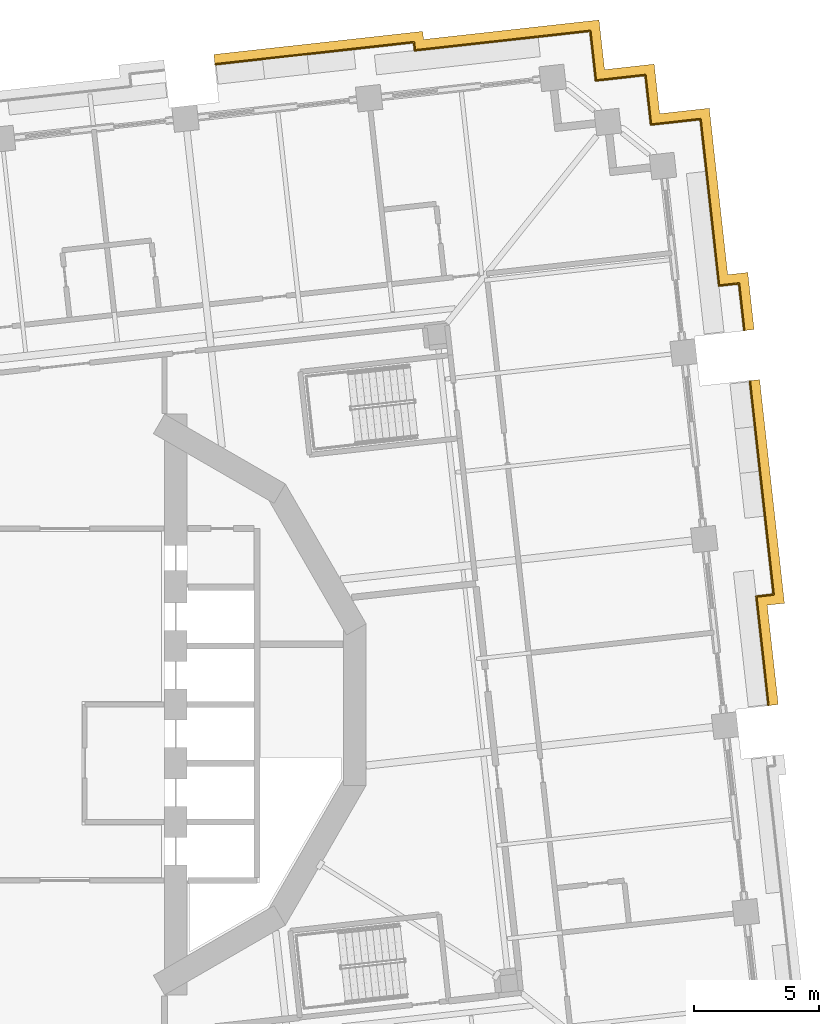
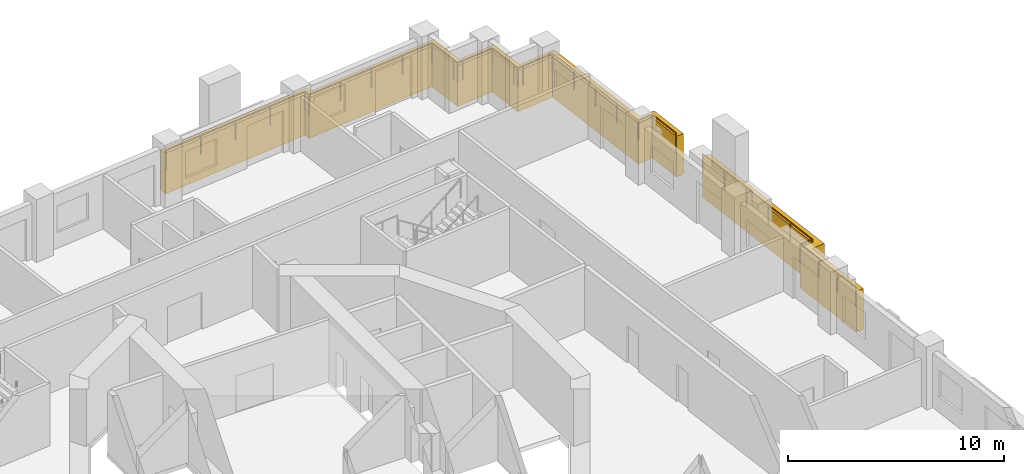
# One storey, part 17 of 18: 3 railings, 2 coverings.
"""IFC4 building model written with IfcOpenShell, lengths in metres."""

from ifc_helpers import new_model, si_unit, direction, frame, origin, origin_2d, place, context, subcontext, project, spatial, polyline, circle, outline, extrude, material, type_object, element, save


model = new_model("IFC4")

# Units and contexts
model_context = context("Model", 3, precision=1e-05, world=origin(), true_north=direction((0.0, 1.0)))
body_context = subcontext(model_context, "Body", "Model", "MODEL_VIEW")
ifc_project = project(units=[si_unit("LENGTHUNIT", "METRE"), si_unit("AREAUNIT", "SQUARE_METRE"), si_unit("VOLUMEUNIT", "CUBIC_METRE"), si_unit("PLANEANGLEUNIT", "RADIAN"), si_unit("MASSUNIT", "GRAM", prefix="KILO")], contexts=[model_context])

# Site, building, storey
site_placement = place(None, origin())
site = spatial("IfcSite", under=ifc_project, at=site_placement, CompositionType="ELEMENT")
building_placement = place(site_placement, origin())
building = spatial("IfcBuilding", under=site, at=building_placement, Name="Cantera Rosa Tower", CompositionType="ELEMENT")
storey_placement = place(building_placement, frame((0.0, 0.0, 76.699951171875)))
storey = spatial("IfcBuildingStorey", under=building, at=storey_placement, Name="L16", CompositionType="ELEMENT", Elevation=76.699951171875)

# Railings
ifc_material_1 = material(Name="Stainless steel and laminated glass", Category="steel")
railing_type = type_object("IfcRailingType", Name="GUARD 1100", PredefinedType="BALUSTRADE", material=ifc_material_1)
railing_1_placement = place(storey_placement, frame((27.44482421875, 12.95654296875, 0.0)))
element("IfcRailing", 1, at=railing_1_placement, inside=storey, type_object=railing_type, Name="GUARD L16-9", PredefinedType="BALUSTRADE", context=body_context, shape_type="SweptSolid", body=[
    extrude(circle(Radius=0.030029296875, at=origin_2d()), frame((0.0, 0.0, 1.070068359375), z_axis=(0.110306840876, -0.993897580667, 0.0), x_axis=(0.993897580667, 0.110306840876, 0.0)), (0.0, 0.0, 1.0), 8.596435546875),
    extrude(circle(Radius=0.030029296875, at=origin_2d()), frame((0.9482421875, -8.5439453125, 1.070068359375), z_axis=(-0.993866597574, -0.11058565109, 0.0), x_axis=(0.11058565109, -0.993866597574, 0.0)), (0.0, 0.0, 1.0), 0.6953125),
    extrude(circle(Radius=0.030029296875, at=origin_2d()), frame((0.257080078125, -8.620849609375, 1.070068359375), z_axis=(0.110333717982, -0.993894597368, 0.0), x_axis=(0.993894597368, 0.110333717982, 0.0)), (0.0, 0.0, 1.0), 4.383544921875),
    extrude(circle(Radius=0.02490234375, at=origin_2d()), origin(), (0.0, 0.0, 1.0), 1.0400390625),
    extrude(circle(Radius=0.02490234375, at=origin_2d()), frame((0.189697265625, -1.708740234375, 0.0)), (0.0, 0.0, 1.0), 1.0400390625),
    extrude(circle(Radius=0.02490234375, at=origin_2d()), frame((0.37939453125, -3.41748046875, 0.0)), (0.0, 0.0, 1.0), 1.0400390625),
    extrude(circle(Radius=0.02490234375, at=origin_2d()), frame((0.56884765625, -5.12646484375, 0.0)), (0.0, 0.0, 1.0), 1.0400390625),
    extrude(circle(Radius=0.02490234375, at=origin_2d()), frame((0.758544921875, -6.835205078125, 0.0)), (0.0, 0.0, 1.0), 1.0400390625),
    extrude(circle(Radius=0.02490234375, at=origin_2d()), frame((0.9482421875, -8.5439453125, 0.0)), (0.0, 0.0, 1.0), 1.0400390625),
    extrude(circle(Radius=0.02490234375, at=origin_2d()), frame((0.257080078125, -8.620849609375, 0.0)), (0.0, 0.0, 1.0), 1.0400390625),
    extrude(circle(Radius=0.02490234375, at=origin_2d()), frame((0.418212890625, -10.072998046875, 0.0)), (0.0, 0.0, 1.0), 1.0400390625),
    extrude(circle(Radius=0.02490234375, at=origin_2d()), frame((0.57958984375, -11.525390625, 0.0)), (0.0, 0.0, 1.0), 1.0400390625),
    extrude(circle(Radius=0.02490234375, at=origin_2d()), frame((0.74072265625, -12.9775390625, 0.0)), (0.0, 0.0, 1.0), 1.0400390625),
])
railing_2_placement = place(storey_placement, frame((25.46826171875, 23.45263671875, 0.0)))
element("IfcRailing", 2, at=railing_2_placement, inside=storey, type_object=railing_type, Name="GUARD L16-10", PredefinedType="BALUSTRADE", context=body_context, shape_type="SweptSolid", body=[
    extrude(circle(Radius=0.030029296875, at=origin_2d()), frame((0.0, 0.0, 1.070068359375), z_axis=(0.110289669906, -0.993899486222, 0.0), x_axis=(0.993899486222, 0.110289669906, 0.0)), (0.0, 0.0, 1.0), 1.699951171875),
    extrude(circle(Radius=0.030029296875, at=origin_2d()), frame((0.1875, -1.689697265625, 1.070068359375), z_axis=(0.110346010062, -0.993893232728, 0.0), x_axis=(0.993893232728, 0.110346010062, 0.0)), (0.0, 0.0, 1.0), 5.013427734375),
    extrude(circle(Radius=0.030029296875, at=origin_2d()), frame((0.74072265625, -6.672607421875, 1.070068359375), z_axis=(0.993876348691, 0.110497979675, 0.0), x_axis=(-0.110497979675, 0.993876348691, 0.0)), (0.0, 0.0, 1.0), 0.806396484375),
    extrude(circle(Radius=0.030029296875, at=origin_2d()), frame((1.542236328125, -6.58349609375, 1.070068359375), z_axis=(0.110317298966, -0.99389641993, 0.0), x_axis=(0.99389641993, 0.110317298966, 0.0)), (0.0, 0.0, 1.0), 1.876708984375),
    extrude(circle(Radius=0.02490234375, at=origin_2d()), origin(), (0.0, 0.0, 1.0), 1.0400390625),
    extrude(circle(Radius=0.02490234375, at=origin_2d()), frame((0.1875, -1.689697265625, 0.0)), (0.0, 0.0, 1.0), 1.0400390625),
    extrude(circle(Radius=0.02490234375, at=origin_2d()), frame((0.371826171875, -3.3505859375, 0.0)), (0.0, 0.0, 1.0), 1.0400390625),
    extrude(circle(Radius=0.02490234375, at=origin_2d()), frame((0.556396484375, -5.01171875, 0.0)), (0.0, 0.0, 1.0), 1.0400390625),
    extrude(circle(Radius=0.02490234375, at=origin_2d()), frame((0.74072265625, -6.672607421875, 0.0)), (0.0, 0.0, 1.0), 1.0400390625),
    extrude(circle(Radius=0.02490234375, at=origin_2d()), frame((1.542236328125, -6.58349609375, 0.0)), (0.0, 0.0, 1.0), 1.0400390625),
    extrude(circle(Radius=0.02490234375, at=origin_2d()), frame((1.749267578125, -8.44873046875, 0.0)), (0.0, 0.0, 1.0), 1.0400390625),
])
railing_3_placement = place(storey_placement, frame((6.037353515625, 25.650634765625, 0.0)))
element("IfcRailing", 3, at=railing_3_placement, inside=storey, type_object=railing_type, Name="GUARD L16-11", PredefinedType="BALUSTRADE", context=body_context, shape_type="SweptSolid", body=[
    extrude(circle(Radius=0.030029296875, at=origin_2d()), frame((0.0, 0.0, 1.070068359375), z_axis=(0.993896384884, 0.11031761471, 0.0), x_axis=(-0.11031761471, 0.993896384884, 0.0)), (0.0, 0.0, 1.0), 7.998046875),
    extrude(circle(Radius=0.030029296875, at=origin_2d()), frame((7.94921875, 0.88232421875, 1.070068359375), z_axis=(0.110839749591, -0.99383829163, 0.0), x_axis=(0.99383829163, 0.110839749591, 0.0)), (0.0, 0.0, 1.0), 0.328125),
    extrude(circle(Radius=0.030029296875, at=origin_2d()), frame((7.985595703125, 0.55615234375, 1.070068359375), z_axis=(0.993897583515, 0.110306815218, 0.0), x_axis=(-0.110306815218, 0.993897583515, 0.0)), (0.0, 0.0, 1.0), 5.37158203125),
    extrude(circle(Radius=0.030029296875, at=origin_2d()), frame((13.324462890625, 1.148681640625, 1.070068359375), z_axis=(0.993883734674, 0.110431526075, 0.0), x_axis=(-0.110431526075, 0.993883734674, 0.0)), (0.0, 0.0, 1.0), 1.7001953125),
    extrude(circle(Radius=0.030029296875, at=origin_2d()), frame((15.01416015625, 1.33642578125, 1.070068359375), z_axis=(0.110289669906, -0.993899486222, 0.0), x_axis=(0.993899486222, 0.110289669906, 0.0)), (0.0, 0.0, 1.0), 1.699951171875),
    extrude(circle(Radius=0.030029296875, at=origin_2d()), frame((15.20166015625, -0.353271484375, 1.070068359375), z_axis=(0.110699535641, -0.99385391925, 0.0), x_axis=(0.99385391925, 0.110699535641, 0.0)), (0.0, 0.0, 1.0), 0.300048828125),
    extrude(circle(Radius=0.030029296875, at=origin_2d()), frame((15.23486328125, -0.6513671875, 1.070068359375), z_axis=(0.993943154022, 0.10989543472, 0.0), x_axis=(-0.10989543472, 0.993943154022, 0.0)), (0.0, 0.0, 1.0), 0.2998046875),
    extrude(circle(Radius=0.030029296875, at=origin_2d()), frame((15.532958984375, -0.618408203125, 1.070068359375), z_axis=(0.993899486222, 0.110289669906, 0.0), x_axis=(-0.110289669906, 0.993899486222, 0.0)), (0.0, 0.0, 1.0), 1.699951171875),
    extrude(circle(Radius=0.030029296875, at=origin_2d()), frame((17.22265625, -0.430908203125, 1.070068359375), z_axis=(0.110305413813, -0.993897739047, 0.0), x_axis=(0.993897739047, 0.110305413813, 0.0)), (0.0, 0.0, 1.0), 1.69970703125),
    extrude(circle(Radius=0.030029296875, at=origin_2d()), frame((17.41015625, -2.120361328125, 1.070068359375), z_axis=(0.1098065887, -0.993952973273, 0.0), x_axis=(0.993952973273, 0.1098065887, 0.0)), (0.0, 0.0, 1.0), 0.300048828125),
    extrude(circle(Radius=0.030029296875, at=origin_2d()), frame((17.443115234375, -2.418701171875, 1.070068359375), z_axis=(0.993863881828, 0.110610055588, 0.0), x_axis=(-0.110610055588, 0.993863881828, 0.0)), (0.0, 0.0, 1.0), 0.30029296875),
    extrude(circle(Radius=0.030029296875, at=origin_2d()), frame((17.741455078125, -2.385498046875, 1.070068359375), z_axis=(0.993897739047, 0.110305413813, 0.0), x_axis=(-0.110305413813, 0.993897739047, 0.0)), (0.0, 0.0, 1.0), 1.69970703125),
    extrude(circle(Radius=0.02490234375, at=origin_2d()), origin(), (0.0, 0.0, 1.0), 1.0400390625),
    extrude(circle(Radius=0.02490234375, at=origin_2d()), frame((1.9873046875, 0.220703125, 0.0)), (0.0, 0.0, 1.0), 1.0400390625),
    extrude(circle(Radius=0.02490234375, at=origin_2d()), frame((3.974609375, 0.441162109375, 0.0)), (0.0, 0.0, 1.0), 1.0400390625),
    extrude(circle(Radius=0.02490234375, at=origin_2d()), frame((5.9619140625, 0.66162109375, 0.0)), (0.0, 0.0, 1.0), 1.0400390625),
    extrude(circle(Radius=0.02490234375, at=origin_2d()), frame((7.94921875, 0.88232421875, 0.0)), (0.0, 0.0, 1.0), 1.0400390625),
    extrude(circle(Radius=0.02490234375, at=origin_2d()), frame((7.985595703125, 0.55615234375, 0.0)), (0.0, 0.0, 1.0), 1.0400390625),
    extrude(circle(Radius=0.02490234375, at=origin_2d()), frame((9.76513671875, 0.753662109375, 0.0)), (0.0, 0.0, 1.0), 1.0400390625),
    extrude(circle(Radius=0.02490234375, at=origin_2d()), frame((11.544921875, 0.951171875, 0.0)), (0.0, 0.0, 1.0), 1.0400390625),
    extrude(circle(Radius=0.02490234375, at=origin_2d()), frame((13.324462890625, 1.148681640625, 0.0)), (0.0, 0.0, 1.0), 1.0400390625),
    extrude(circle(Radius=0.02490234375, at=origin_2d()), frame((15.01416015625, 1.33642578125, 0.0)), (0.0, 0.0, 1.0), 1.0400390625),
    extrude(circle(Radius=0.02490234375, at=origin_2d()), frame((15.20166015625, -0.353271484375, 0.0)), (0.0, 0.0, 1.0), 1.0400390625),
    extrude(circle(Radius=0.02490234375, at=origin_2d()), frame((15.23486328125, -0.6513671875, 0.0)), (0.0, 0.0, 1.0), 1.0400390625),
    extrude(circle(Radius=0.02490234375, at=origin_2d()), frame((15.532958984375, -0.618408203125, 0.0)), (0.0, 0.0, 1.0), 1.0400390625),
    extrude(circle(Radius=0.02490234375, at=origin_2d()), frame((17.22265625, -0.430908203125, 0.0)), (0.0, 0.0, 1.0), 1.0400390625),
    extrude(circle(Radius=0.02490234375, at=origin_2d()), frame((17.41015625, -2.120361328125, 0.0)), (0.0, 0.0, 1.0), 1.0400390625),
    extrude(circle(Radius=0.02490234375, at=origin_2d()), frame((17.443115234375, -2.418701171875, 0.0)), (0.0, 0.0, 1.0), 1.0400390625),
    extrude(circle(Radius=0.02490234375, at=origin_2d()), frame((17.741455078125, -2.385498046875, 0.0)), (0.0, 0.0, 1.0), 1.0400390625),
    extrude(circle(Radius=0.02490234375, at=origin_2d()), frame((19.430908203125, -2.197998046875, 0.0)), (0.0, 0.0, 1.0), 1.0400390625),
])

# Coverings
ifc_material_2 = material(Name="Cantera stone", Category="masonry")
covering_type = type_object("IfcCoveringType", Name="TRAY FASCIA 400", PredefinedType="CLADDING", material=ifc_material_2)
covering_1_placement = place(storey_placement, frame((0.0, 0.0, -1.39990234375)))
element("IfcCovering", 4, at=covering_1_placement, inside=storey, type_object=covering_type, Name="TRAY FASCIA L16-06", PredefinedType="CLADDING", context=body_context, shape_type="SweptSolid", body=[
    extrude(outline(polyline([(14.340087890625, 26.974853515625), (14.376220703125, 26.6484375), (19.317626953125, 27.197021484375), (21.405029296875, 27.4287109375), (21.62548828125, 25.44091796875), (23.61328125, 25.661376953125), (23.833984375, 23.673583984375), (25.82177734375, 23.894287109375), (26.053466796875, 21.80712890625), (26.562255859375, 17.221923828125), (27.364013671875, 17.310791015625), (27.61767578125, 15.02587890625), (27.617431640625, 15.02587890625), (27.616455078125, 15.0263671875), (27.615478515625, 15.02685546875), (27.61474609375, 15.027099609375), (27.61376953125, 15.02734375), (27.61279296875, 15.027587890625), (27.61181640625, 15.027587890625), (27.61083984375, 15.027587890625), (27.2197265625, 14.984130859375), (27.010498046875, 16.869140625), (26.208984375, 16.780029296875), (25.65576171875, 21.762939453125), (25.46826171875, 23.45263671875), (23.77880859375, 23.26513671875), (23.48046875, 23.23193359375), (23.447509765625, 23.5302734375), (23.260009765625, 25.2197265625), (21.5703125, 25.0322265625), (21.272216796875, 24.999267578125), (21.239013671875, 25.29736328125), (21.051513671875, 26.987060546875), (19.36181640625, 26.79931640625), (14.02294921875, 26.206787109375), (13.986572265625, 26.532958984375), (6.017333984375, 25.6484375), (5.97314453125, 26.046142578125), (14.340087890625, 26.974853515625)])), origin(), (0.0, 0.0, 1.0), 2.300048828125),
])
covering_2_placement = place(storey_placement, frame((0.0, 0.0, -1.39990234375)))
element("IfcCovering", 5, at=covering_2_placement, inside=storey, type_object=covering_type, Name="TRAY FASCIA L16-08", PredefinedType="CLADDING", context=body_context, shape_type="SweptSolid", body=[
    extrude(outline(polyline([(28.834716796875, 4.05908203125), (28.143798828125, 3.982421875), (28.585205078125, 0.00341796875), (28.187744140625, -0.040771484375), (27.701904296875, 4.335693359375), (28.39306640625, 4.41259765625), (27.442626953125, 12.9765625), (27.83349609375, 13.019775390625), (27.83447265625, 13.02001953125), (27.83544921875, 13.020263671875), (27.83642578125, 13.0205078125), (27.83740234375, 13.02099609375), (27.838134765625, 13.021484375), (27.8388671875, 13.022216796875), (27.839599609375, 13.022705078125), (27.83984375, 13.02294921875), (28.834716796875, 4.05908203125)])), origin(), (0.0, 0.0, 1.0), 2.300048828125),
])

save(model, "model.ifc")
